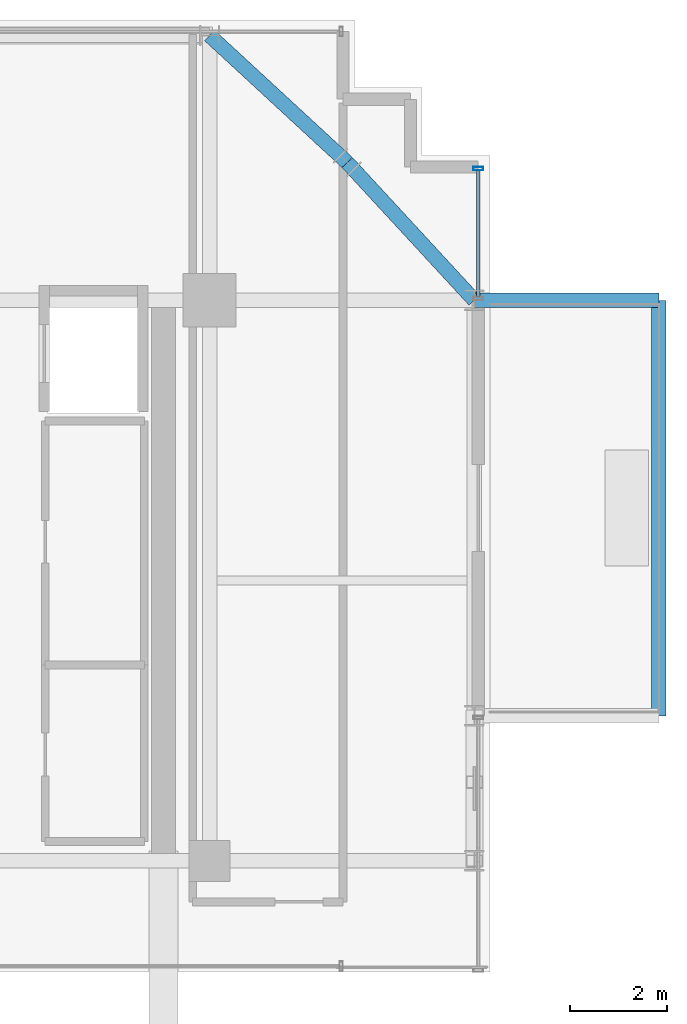
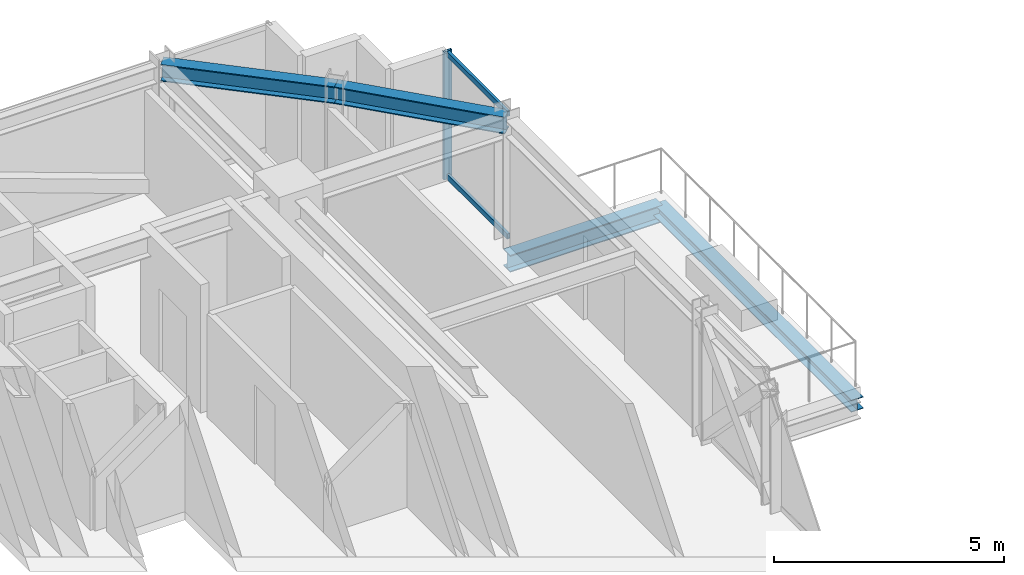
# One storey, part 28 of 38: 4 beams, 3 members, 1 element without a shape of its own.
"""IFC4 building model written with IfcOpenShell, lengths in metres."""

from ifc_helpers import new_model, si_unit, direction, frame, origin, origin_2d, place, context, subcontext, project, spatial, hollow_rectangle, i_section, extrude, source, transform, mapped, material, material_profile, profile_set, type_object, element, aggregate, save


model = new_model("IFC4")

# Units and contexts
model_context = context("Model", 3, precision=1e-05, world=origin(), true_north=direction((0.0, 1.0)))
body_context = subcontext(model_context, "Body", "Model", "MODEL_VIEW")
ifc_project = project(units=[si_unit("LENGTHUNIT", "METRE"), si_unit("AREAUNIT", "SQUARE_METRE"), si_unit("VOLUMEUNIT", "CUBIC_METRE"), si_unit("PLANEANGLEUNIT", "RADIAN"), si_unit("MASSUNIT", "GRAM", prefix="KILO")], contexts=[model_context])

# Site, building, storey
site_placement = place(None, origin())
site = spatial("IfcSite", under=ifc_project, at=site_placement, CompositionType="ELEMENT")
building_placement = place(site_placement, origin())
building = spatial("IfcBuilding", under=site, at=building_placement, Name="Nahalor Promenade Grand Hotel", CompositionType="ELEMENT")
storey_placement = place(building_placement, frame((0.0, 0.0, 178.199951171875)))
storey = spatial("IfcBuildingStorey", under=building, at=storey_placement, Name="L45", CompositionType="ELEMENT", Elevation=178.199951171875)

# Beams
ifc_material_1 = material(Name="Steel S355JR", Category="steel")
ifc_material_profile_1 = material_profile(ifc_material_1, i_section(OverallWidth=0.3, OverallDepth=0.32, WebThickness=0.0115, FlangeThickness=0.0205, at=origin_2d()), Name="HEB 320")
ifc_profile_set_1 = profile_set([ifc_material_profile_1], Name="Steel S355JR")
beam_type_1 = type_object("IfcBeamType", Name="Beam-BalcEdge-HEB320", PredefinedType="SPANDREL", material=ifc_profile_set_1)
shared_shape_1 = source(origin(), body_context, "Body", "SweptSolid", [
    extrude(i_section(OverallWidth=0.3, OverallDepth=0.32, WebThickness=0.0115, FlangeThickness=0.0205, at=origin_2d()), origin(), (0.0, 0.0, 1.0), 8.60009765625),
])
beam_1_placement = place(storey_placement, frame((26.300048828125, 8.39990234375, -0.43994140625), z_axis=(0.0, 1.0, 0.0), x_axis=(-1.0, 0.0, 0.0)))
element("IfcBeam", 1, at=beam_1_placement, inside=storey, type_object=beam_type_1, Name="BM-L45-BC-02-F", PredefinedType="SPANDREL", context=body_context, shape_type="MappedRepresentation", body=[
    mapped(shared_shape_1, transform((0.0, 0.0, 0.0), scale=1.0)),
])
ifc_material_profile_2 = material_profile(ifc_material_1, i_section(OverallWidth=0.3, OverallDepth=0.45, WebThickness=0.014, FlangeThickness=0.026, at=origin_2d()), Name="HEB 450")
ifc_profile_set_2 = profile_set([ifc_material_profile_2], Name="Steel S355JR")
beam_type_2 = type_object("IfcBeamType", Name="Beam-Outrigger-HEB450", PredefinedType="BEAM", material=ifc_profile_set_2)
shared_shape_2 = source(origin(), body_context, "Body", "SweptSolid", [
    extrude(i_section(OverallWidth=0.3, OverallDepth=0.45, WebThickness=0.014, FlangeThickness=0.026, at=origin_2d()), origin(), (0.0, 0.0, 1.0), 3.820068359375),
])
beam_2_placement = place(storey_placement, frame((22.47998046875, 17.0, -0.5048828125), z_axis=(1.0, 0.0, 0.0), x_axis=(0.0, 1.0, 0.0)))
element("IfcBeam", 2, at=beam_2_placement, inside=storey, type_object=beam_type_2, Name="BM-L45-BC-02-2", PredefinedType="BEAM", context=body_context, shape_type="MappedRepresentation", body=[
    mapped(shared_shape_2, transform((0.0, 0.0, 0.0), scale=1.0)),
])
ifc_material_profile_3 = material_profile(ifc_material_1, i_section(OverallWidth=0.3, OverallDepth=0.45, WebThickness=0.014, FlangeThickness=0.026, at=origin_2d()), Name="HEB 450")
ifc_profile_set_3 = profile_set([ifc_material_profile_3], Name="Steel S355JR")
beam_type_3 = type_object("IfcBeamType", Name="Beam-Spandrel-HEB450", PredefinedType="SPANDREL", material=ifc_profile_set_3)
shared_shape_3 = source(origin(), body_context, "Body", "SweptSolid", [
    extrude(i_section(OverallWidth=0.3, OverallDepth=0.45, WebThickness=0.014, FlangeThickness=0.026, at=origin_2d()), origin(), (0.0, 0.0, 1.0), 3.878173828125),
])
for number, where, z_axis, x_axis, name in (
    (3, (17.0, 22.47998046875, 3.1650390625), (0.73492893846, -0.678144125843, 0.0), (0.678144125843, 0.73492893846, 0.0), "BM-L45-SPC-NE-1"),
    (4, (19.85009765625, 19.85009765625, 3.1650390625), (0.678144125843, -0.73492893846, 0.0), (0.73492893846, 0.678144125843, 0.0), "BM-L45-SPC-NE-2"),
):
    element("IfcBeam", number, at=place(storey_placement, frame(where, z_axis=z_axis, x_axis=x_axis)), inside=storey, type_object=beam_type_3, Name=name, PredefinedType="SPANDREL", context=body_context, shape_type="MappedRepresentation", body=[
        mapped(shared_shape_3, transform((0.0, 0.0, 0.0), scale=1.0)),
    ])

# Curtain wall, members
ifc_material_2 = material(Name="Anodised Bronze Aluminium EN AW-6063 T6", Category="aluminium")
curtain_wall_type = type_object("IfcCurtainWallType", Name="CW3 Elliptical-Void Collar Unitised Curtain Wall", PredefinedType="USERDEFINED", material=ifc_material_2)
curtain_wall_placement = place(storey_placement, origin())
curtain_wall = element("IfcCurtainWall", 5, at=curtain_wall_placement, inside=storey, type_object=curtain_wall_type, Name="L45 Curtain Wall CW-L45-E-4", ObjectType="UNITISED_CURTAIN_WALL", PredefinedType="USERDEFINED")
ifc_material_profile_4 = material_profile(ifc_material_2, hollow_rectangle(XDim=0.07, YDim=0.2, WallThickness=0.005, at=origin_2d()), Name="CWM 70x200x5")
ifc_profile_set_4 = profile_set([ifc_material_profile_4], Name="Anodised Bronze Aluminium EN AW-6063 T6")
member_type_1 = type_object("IfcMemberType", Name="CWM3 Void Collar Mullion 70x200", PredefinedType="MULLION", material=ifc_profile_set_4)
shared_shape_4 = source(origin(), body_context, "Body", "SweptSolid", [
    extrude(hollow_rectangle(XDim=0.07, YDim=0.2, WallThickness=0.005, at=origin_2d()), origin(), (0.0, 0.0, 1.0), 3.39013671875),
])
member_1_placement = place(storey_placement, frame((22.56005859375, 19.72509765625, 0.0), z_axis=(0.0, 0.0, 1.0), x_axis=(0.0, 1.0, 0.0)))
member_1 = element("IfcMember", 6, at=member_1_placement, type_object=member_type_1, Name="CW-L45-E-4 Mullion 1", PredefinedType="MULLION", context=body_context, shape_type="MappedRepresentation", body=[
    mapped(shared_shape_4, transform((0.0, 0.0, 0.0), scale=1.0)),
])
ifc_material_profile_5 = material_profile(ifc_material_2, hollow_rectangle(XDim=0.07, YDim=0.14, WallThickness=0.004, at=origin_2d()), Name="CWT 70x140x4")
ifc_profile_set_5 = profile_set([ifc_material_profile_5], Name="Anodised Bronze Aluminium EN AW-6063 T6")
member_type_2 = type_object("IfcMemberType", Name="CWT3 Void Collar Transom 70x140", PredefinedType="USERDEFINED", material=ifc_profile_set_5)
shared_shape_5 = source(origin(), body_context, "Body", "SweptSolid", [
    extrude(hollow_rectangle(XDim=0.07, YDim=0.14, WallThickness=0.004, at=origin_2d()), origin(), (0.0, 0.0, 1.0), 2.619873046875),
])
member_2_placement = place(storey_placement, frame((22.56005859375, 17.070068359375, 0.070068359375), z_axis=(0.0, 1.0, 0.0), x_axis=(-1.0, 0.0, 0.0)))
member_2 = element("IfcMember", 7, at=member_2_placement, type_object=member_type_2, Name="CW-L45-E-4 Transom 0-0", ObjectType="TRANSOM", PredefinedType="USERDEFINED", context=body_context, shape_type="MappedRepresentation", body=[
    mapped(shared_shape_5, transform((0.0, 0.0, 0.0), scale=1.0)),
])
member_3_placement = place(storey_placement, frame((22.56005859375, 17.070068359375, 3.320068359375), z_axis=(0.0, 1.0, 0.0), x_axis=(-1.0, 0.0, 0.0)))
member_3 = element("IfcMember", 8, at=member_3_placement, type_object=member_type_2, Name="CW-L45-E-4 Transom 0-1", ObjectType="TRANSOM", PredefinedType="USERDEFINED", context=body_context, shape_type="MappedRepresentation", body=[
    mapped(shared_shape_5, transform((0.0, 0.0, 0.0), scale=1.0)),
])
aggregate(curtain_wall, [member_1, member_2, member_3])

save(model, "model.ifc")
